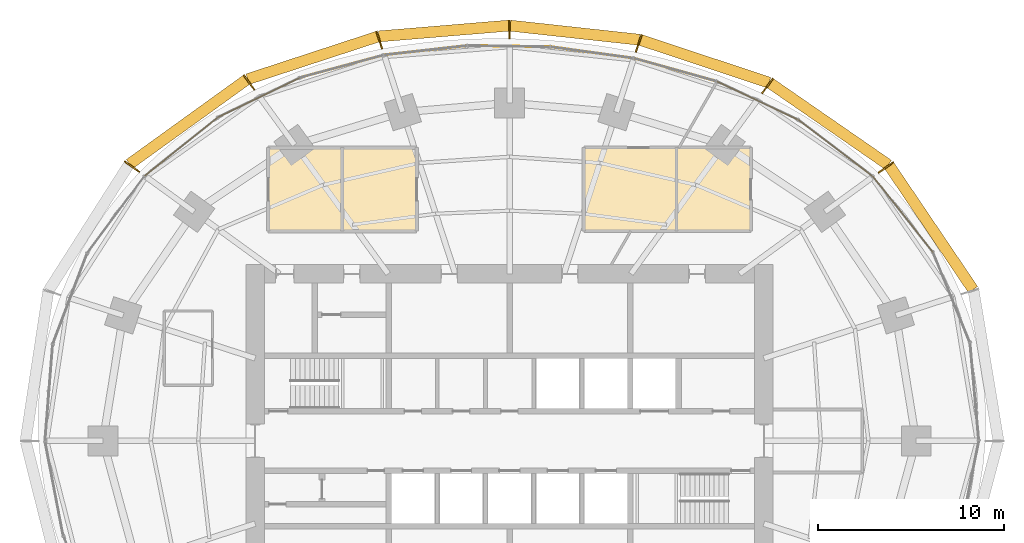
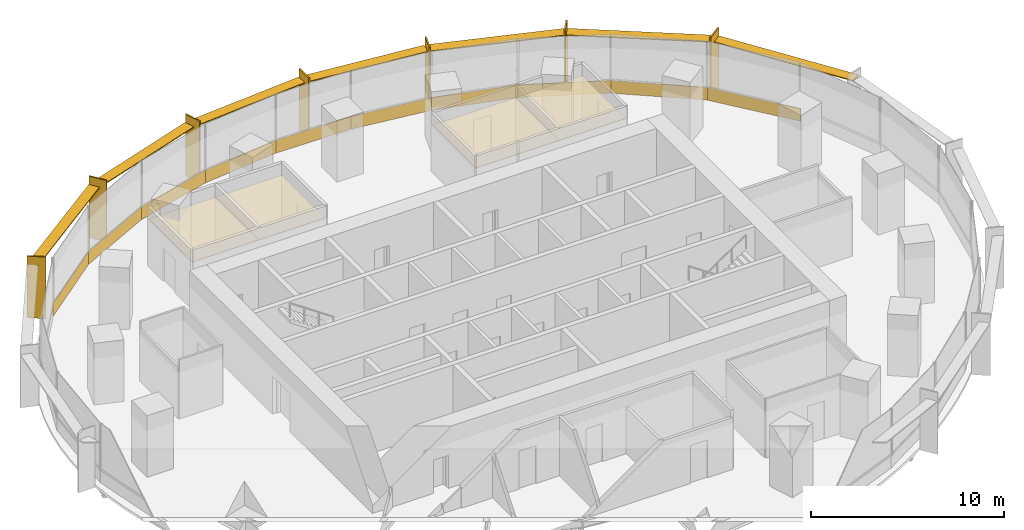
# One storey, part 14 of 14: 14 coverings, 14 shading devices.
"""IFC4 building model written with IfcOpenShell, lengths in metres."""

from ifc_helpers import new_model, si_unit, direction, frame, origin, origin_2d, place, context, subcontext, project, spatial, polyline, rectangle, outline, extrude, material, layer, layer_set, type_object, element, save


model = new_model("IFC4")

# Units and contexts
model_context = context("Model", 3, precision=1e-05, world=origin(), true_north=direction((0.0, 1.0)))
body_context = subcontext(model_context, "Body", "Model", "MODEL_VIEW")
ifc_project = project(units=[si_unit("LENGTHUNIT", "METRE"), si_unit("AREAUNIT", "SQUARE_METRE"), si_unit("VOLUMEUNIT", "CUBIC_METRE"), si_unit("PLANEANGLEUNIT", "RADIAN"), si_unit("MASSUNIT", "GRAM", prefix="KILO")], contexts=[model_context])

# Site, building, storey
site_placement = place(None, origin())
site = spatial("IfcSite", under=ifc_project, at=site_placement, CompositionType="ELEMENT")
building_placement = place(site_placement, origin())
building = spatial("IfcBuilding", under=site, at=building_placement, Name="Marramba Exchange Tower", CompositionType="ELEMENT")
storey_placement = place(building_placement, frame((0.0, 0.0, 139.199951171875)))
storey = spatial("IfcBuildingStorey", under=building, at=storey_placement, Name="L33", CompositionType="ELEMENT", Elevation=139.199951171875)

# Shading devices
ifc_material_1 = material(Name="Aluminium blade, timber-look bronze finish", Category="wood")
ifc_layer_1 = layer(ifc_material_1, 0.080078125)
ifc_layer_set_1 = layer_set([ifc_layer_1], Name="Floor-edge blade 1000x80")
shading_device_type_1 = type_object("IfcShadingDeviceType", Name="Floor-edge blade 1000x80", PredefinedType="USERDEFINED", material=ifc_layer_set_1)
for number, where, z_axis, x_axis, name in (
    (1, (20.27392578125, 14.72998046875, -0.159912109375), (0.0, 0.0, 1.0), (0.809016994375, 0.587785252292, 0.0), "Floor-edge blade FB1 L33 TC03"),
    (2, (13.8955078125, 19.12548828125, -0.159912109375), (0.0, 0.0, 1.0), (0.587785252292, 0.809016994375, 0.0), "Floor-edge blade FB1 L33 TC04"),
    (3, (6.958984375, 21.41748046875, -0.159912109375), (0.0, 0.0, 1.0), (0.309016994375, 0.951056516295, 0.0), "Floor-edge blade FB1 L33 TC05"),
    (4, (0.0, 22.173095703125, -0.159912109375), (0.0, 0.0, 1.0), (0.0, 1.0, 0.0), "Floor-edge blade FB1 L33 TC06"),
    (5, (-7.016845703125, 21.595703125, -0.159912109375), (0.0, 0.0, 1.0), (-0.309016994375, 0.951056516295, 0.0), "Floor-edge blade FB1 L33 TC07"),
    (6, (-14.029296875, 19.3095703125, -0.159912109375), (0.0, 0.0, 1.0), (-0.587785252292, 0.809016994375, 0.0), "Floor-edge blade FB1 L33 TC08"),
    (7, (-20.33642578125, 14.775390625, -0.159912109375), (0.0, 0.0, 1.0), (-0.809016994375, 0.587785252292, 0.0), "Floor-edge blade FB1 L33 TC09"),
):
    element("IfcShadingDevice", number, at=place(storey_placement, frame(where, z_axis=z_axis, x_axis=x_axis)), inside=storey, type_object=shading_device_type_1, Name=name, ObjectType="FIN", PredefinedType="USERDEFINED", context=body_context, shape_type="SweptSolid", body=[
        extrude(rectangle(XDim=1.0, YDim=0.080078125, at=origin_2d()), origin(), (0.0, 0.0, 1.0), 3.89990234375),
    ])
ifc_material_2 = material(Name="Aluminium sunshade, bronze anodised", Category="aluminium")
ifc_layer_2 = layer(ifc_material_2, 0.06005859375)
ifc_layer_set_2 = layer_set([ifc_layer_2], Name="SUNSHADE blade 600x60")
shading_device_type_2 = type_object("IfcShadingDeviceType", Name="SUNSHADE blade 600x60", PredefinedType="USERDEFINED", material=ifc_layer_set_2)
shading_device_1_placement = place(storey_placement, frame((22.712158203125, 11.4833984375, 3.159912109375), z_axis=(0.0, 0.0, 1.0), x_axis=(-0.560441804861, 0.828193807852, 0.0)))
element("IfcShadingDevice", 8, at=shading_device_1_placement, inside=storey, type_object=shading_device_type_2, Name="Sunshade SS1 L33 bay 02", ObjectType="SUNSHADE", PredefinedType="USERDEFINED", context=body_context, shape_type="SweptSolid", body=[
    extrude(rectangle(XDim=8.0439453125, YDim=0.60009765625, at=origin_2d()), origin(), (0.0, 0.0, 1.0), 0.06005859375),
])
shading_device_2_placement = place(storey_placement, frame((17.224365234375, 17.0673828125, 3.159912109375), z_axis=(0.0, 0.0, 1.0), x_axis=(-0.822589509071, 0.568635647464, 0.0)))
element("IfcShadingDevice", 9, at=shading_device_2_placement, inside=storey, type_object=shading_device_type_2, Name="Sunshade SS1 L33 bay 03", ObjectType="SUNSHADE", PredefinedType="USERDEFINED", context=body_context, shape_type="SweptSolid", body=[
    extrude(rectangle(XDim=7.72802734375, YDim=0.60009765625, at=origin_2d()), origin(), (0.0, 0.0, 1.0), 0.06005859375),
])
shading_device_3_placement = place(storey_placement, frame((10.516845703125, 20.447509765625, 3.159912109375), z_axis=(0.0, 0.0, 1.0), x_axis=(-0.949101076178, 0.314971660944, 0.0)))
element("IfcShadingDevice", 10, at=shading_device_3_placement, inside=storey, type_object=shading_device_type_2, Name="Sunshade SS1 L33 bay 04", ObjectType="SUNSHADE", PredefinedType="USERDEFINED", context=body_context, shape_type="SweptSolid", body=[
    extrude(rectangle(XDim=7.287353515625, YDim=0.60009765625, at=origin_2d()), origin(), (0.0, 0.0, 1.0), 0.06005859375),
])
shading_device_4_placement = place(storey_placement, frame((3.510498046875, 21.990478515625, 3.159912109375), z_axis=(0.0, 0.0, 1.0), x_axis=(-0.994111392801, 0.108362995081, 0.0)))
element("IfcShadingDevice", 11, at=shading_device_4_placement, inside=storey, type_object=shading_device_type_2, Name="Sunshade SS1 L33 bay 05", ObjectType="SUNSHADE", PredefinedType="USERDEFINED", context=body_context, shape_type="SweptSolid", body=[
    extrude(rectangle(XDim=6.982421875, YDim=0.60009765625, at=origin_2d()), origin(), (0.0, 0.0, 1.0), 0.06005859375),
])
shading_device_5_placement = place(storey_placement, frame((-3.539306640625, 22.07958984375, 3.159912109375), z_axis=(0.0, 0.0, 1.0), x_axis=(-0.996577838412, -0.08265961521, 0.0)))
element("IfcShadingDevice", 12, at=shading_device_5_placement, inside=storey, type_object=shading_device_type_2, Name="Sunshade SS1 L33 bay 06", ObjectType="SUNSHADE", PredefinedType="USERDEFINED", context=body_context, shape_type="SweptSolid", body=[
    extrude(rectangle(XDim=7.02294921875, YDim=0.60009765625, at=origin_2d()), origin(), (0.0, 0.0, 1.0), 0.06005859375),
])
shading_device_6_placement = place(storey_placement, frame((-10.61279296875, 20.628662109375, 3.159912109375), z_axis=(0.0, 0.0, 1.0), x_axis=(-0.950345637432, -0.311196351865, 0.0)))
element("IfcShadingDevice", 13, at=shading_device_6_placement, inside=storey, type_object=shading_device_type_2, Name="Sunshade SS1 L33 bay 07", ObjectType="SUNSHADE", PredefinedType="USERDEFINED", context=body_context, shape_type="SweptSolid", body=[
    extrude(rectangle(XDim=7.357421875, YDim=0.60009765625, at=origin_2d()), origin(), (0.0, 0.0, 1.0), 0.06005859375),
])
shading_device_7_placement = place(storey_placement, frame((-17.322509765625, 17.18212890625, 3.159912109375), z_axis=(0.0, 0.0, 1.0), x_axis=(-0.811199164202, -0.584769968448, 0.0)))
element("IfcShadingDevice", 14, at=shading_device_7_placement, inside=storey, type_object=shading_device_type_2, Name="Sunshade SS1 L33 bay 08", ObjectType="SUNSHADE", PredefinedType="USERDEFINED", context=body_context, shape_type="SweptSolid", body=[
    extrude(rectangle(XDim=7.749755859375, YDim=0.60009765625, at=origin_2d()), origin(), (0.0, 0.0, 1.0), 0.06005859375),
])

# Coverings
ifc_material_3 = material(Name="Aluminium spandrel panel, bronze anodised, insulated", Category="aluminium")
ifc_layer_3 = layer(ifc_material_3, 0.050048828125)
ifc_layer_set_3 = layer_set([ifc_layer_3], Name="Spandrel panel 800")
covering_type_1 = type_object("IfcCoveringType", Name="Spandrel panel 800", PredefinedType="CLADDING", material=ifc_layer_set_3)
covering_1_placement = place(storey_placement, frame((21.20068359375, 12.194091796875, 0.0), z_axis=(0.0, 0.0, 1.0), x_axis=(-0.621311998758, 0.783563271344, 0.0)))
element("IfcCovering", 15, at=covering_1_placement, inside=storey, type_object=covering_type_1, Name="Spandrel panel SP1 L33 F03", PredefinedType="CLADDING", context=body_context, shape_type="SweptSolid", body=[
    extrude(rectangle(XDim=5.197021484375, YDim=0.050048828125, at=origin_2d()), origin(), (0.0, 0.0, 1.0), 0.800048828125),
])
covering_2_placement = place(storey_placement, frame((17.576171875, 15.759033203125, 0.0), z_axis=(0.0, 0.0, 1.0), x_axis=(-0.795971745176, 0.605333776426, 0.0)))
element("IfcCovering", 16, at=covering_2_placement, inside=storey, type_object=covering_type_1, Name="Spandrel panel SP1 L33 F04", PredefinedType="CLADDING", context=body_context, shape_type="SweptSolid", body=[
    extrude(rectangle(XDim=5.05078125, YDim=0.050048828125, at=origin_2d()), origin(), (0.0, 0.0, 1.0), 0.800048828125),
])
covering_3_placement = place(storey_placement, frame((13.371337890625, 18.322998046875, 0.0), z_axis=(0.0, 0.0, 1.0), x_axis=(-0.904403135206, 0.426678999987, 0.0)))
element("IfcCovering", 17, at=covering_3_placement, inside=storey, type_object=covering_type_1, Name="Spandrel panel SP1 L33 F05", PredefinedType="CLADDING", context=body_context, shape_type="SweptSolid", body=[
    extrude(rectangle(XDim=4.853271484375, YDim=0.050048828125, at=origin_2d()), origin(), (0.0, 0.0, 1.0), 0.800048828125),
])
covering_4_placement = place(storey_placement, frame((8.9365234375, 19.98388671875, 0.0), z_axis=(0.0, 0.0, 1.0), x_axis=(-0.963177847397, 0.268865085655, 0.0)))
element("IfcCovering", 18, at=covering_4_placement, inside=storey, type_object=covering_type_1, Name="Spandrel panel SP1 L33 F06", PredefinedType="CLADDING", context=body_context, shape_type="SweptSolid", body=[
    extrude(rectangle(XDim=4.651611328125, YDim=0.050048828125, at=origin_2d()), origin(), (0.0, 0.0, 1.0), 0.800048828125),
])
covering_5_placement = place(storey_placement, frame((4.46337890625, 20.915283203125, 0.0), z_axis=(0.0, 0.0, 1.0), x_axis=(-0.990738214019, 0.135785828725, 0.0)))
element("IfcCovering", 19, at=covering_5_placement, inside=storey, type_object=covering_type_1, Name="Spandrel panel SP1 L33 F07", PredefinedType="CLADDING", context=body_context, shape_type="SweptSolid", body=[
    extrude(rectangle(XDim=4.507568359375, YDim=0.050048828125, at=origin_2d()), origin(), (0.0, 0.0, 1.0), 0.800048828125),
])
covering_6_placement = place(storey_placement, frame((-0.003662109375, 21.25634765625, 0.0), z_axis=(0.0, 0.0, 1.0), x_axis=(-0.999875870008, 0.015755779107, 0.0)))
element("IfcCovering", 20, at=covering_6_placement, inside=storey, type_object=covering_type_1, Name="Spandrel panel SP1 L33 F08", PredefinedType="CLADDING", context=body_context, shape_type="SweptSolid", body=[
    extrude(rectangle(XDim=4.46875, YDim=0.050048828125, at=origin_2d()), origin(), (0.0, 0.0, 1.0), 0.800048828125),
])
covering_7_placement = place(storey_placement, frame((-4.49609375, 21.03955078125, 0.0), z_axis=(0.0, 0.0, 1.0), x_axis=(-0.993823395975, -0.110973229261, 0.0)))
element("IfcCovering", 21, at=covering_7_placement, inside=storey, type_object=covering_type_1, Name="Spandrel panel SP1 L33 F09", PredefinedType="CLADDING", context=body_context, shape_type="SweptSolid", body=[
    extrude(rectangle(XDim=4.54443359375, YDim=0.050048828125, at=origin_2d()), origin(), (0.0, 0.0, 1.0), 0.800048828125),
])
covering_8_placement = place(storey_placement, frame((-9.0244140625, 20.17529296875, 0.0), z_axis=(0.0, 0.0, 1.0), x_axis=(-0.965522049344, -0.26032128655, 0.0)))
element("IfcCovering", 22, at=covering_8_placement, inside=storey, type_object=covering_type_1, Name="Spandrel panel SP1 L33 F10", PredefinedType="CLADDING", context=body_context, shape_type="SweptSolid", body=[
    extrude(rectangle(XDim=4.70263671875, YDim=0.050048828125, at=origin_2d()), origin(), (0.0, 0.0, 1.0), 0.800048828125),
])
covering_9_placement = place(storey_placement, frame((-13.49609375, 18.498291015625, 0.0), z_axis=(0.0, 0.0, 1.0), x_axis=(-0.900223736484, -0.435427633794, 0.0)))
element("IfcCovering", 23, at=covering_9_placement, inside=storey, type_object=covering_type_1, Name="Spandrel panel SP1 L33 F11", PredefinedType="CLADDING", context=body_context, shape_type="SweptSolid", body=[
    extrude(rectangle(XDim=4.890625, YDim=0.050048828125, at=origin_2d()), origin(), (0.0, 0.0, 1.0), 0.800048828125),
])
covering_10_placement = place(storey_placement, frame((-17.673095703125, 15.854736328125, 0.0), z_axis=(0.0, 0.0, 1.0), x_axis=(-0.781178328369, -0.624307952285, 0.0)))
element("IfcCovering", 24, at=covering_10_placement, inside=storey, type_object=covering_type_1, Name="Spandrel panel SP1 L33 F12", PredefinedType="CLADDING", context=body_context, shape_type="SweptSolid", body=[
    extrude(rectangle(XDim=5.058349609375, YDim=0.050048828125, at=origin_2d()), origin(), (0.0, 0.0, 1.0), 0.800048828125),
])
ifc_material_4 = material(Name="Mineral fibre ceiling tiles", Category="gypsum")
ifc_layer_4 = layer(ifc_material_4, 0.02001953125)
ifc_layer_set_4 = layer_set([ifc_layer_4], Name="Suspended ceiling 20")
covering_type_2 = type_object("IfcCoveringType", Name="Suspended ceiling 20", PredefinedType="CEILING", material=ifc_layer_set_4)
covering_11_placement = place(storey_placement, frame((0.0, 0.0, 2.900146484375)))
element("IfcCovering", 25, at=covering_11_placement, inside=storey, type_object=covering_type_2, Name="Ceiling CL1 L33 Data Room 1", PredefinedType="CEILING", context=body_context, shape_type="SweptSolid", body=[
    extrude(outline(polyline([(-9.0, 11.300048828125), (-13.0, 11.300048828125), (-13.0, 15.800048828125), (-9.0, 15.800048828125), (-9.0, 11.300048828125)])), origin(), (0.0, 0.0, 1.0), 0.02001953125),
])
covering_12_placement = place(storey_placement, frame((0.0, 0.0, 2.900146484375)))
element("IfcCovering", 26, at=covering_12_placement, inside=storey, type_object=covering_type_2, Name="Ceiling CL1 L33 Data Room 2", PredefinedType="CEILING", context=body_context, shape_type="SweptSolid", body=[
    extrude(outline(polyline([(-5.0, 11.300048828125), (-9.0, 11.300048828125), (-9.0, 15.800048828125), (-5.0, 15.800048828125), (-5.0, 11.300048828125)])), origin(), (0.0, 0.0, 1.0), 0.02001953125),
])
covering_13_placement = place(storey_placement, frame((0.0, 0.0, 2.900146484375)))
element("IfcCovering", 27, at=covering_13_placement, inside=storey, type_object=covering_type_2, Name="Ceiling CL1 L33 Meeting Room 1", PredefinedType="CEILING", context=body_context, shape_type="SweptSolid", body=[
    extrude(outline(polyline([(9.0, 15.800048828125), (9.0, 11.300048828125), (4.0, 11.300048828125), (4.0, 15.800048828125), (9.0, 15.800048828125)])), origin(), (0.0, 0.0, 1.0), 0.02001953125),
])
covering_14_placement = place(storey_placement, frame((0.0, 0.0, 2.900146484375)))
element("IfcCovering", 28, at=covering_14_placement, inside=storey, type_object=covering_type_2, Name="Ceiling CL1 L33 Meeting Room 2", PredefinedType="CEILING", context=body_context, shape_type="SweptSolid", body=[
    extrude(outline(polyline([(13.0, 15.800048828125), (13.0, 11.300048828125), (9.0, 11.300048828125), (9.0, 15.800048828125), (13.0, 15.800048828125)])), origin(), (0.0, 0.0, 1.0), 0.02001953125),
])

save(model, "model.ifc")
